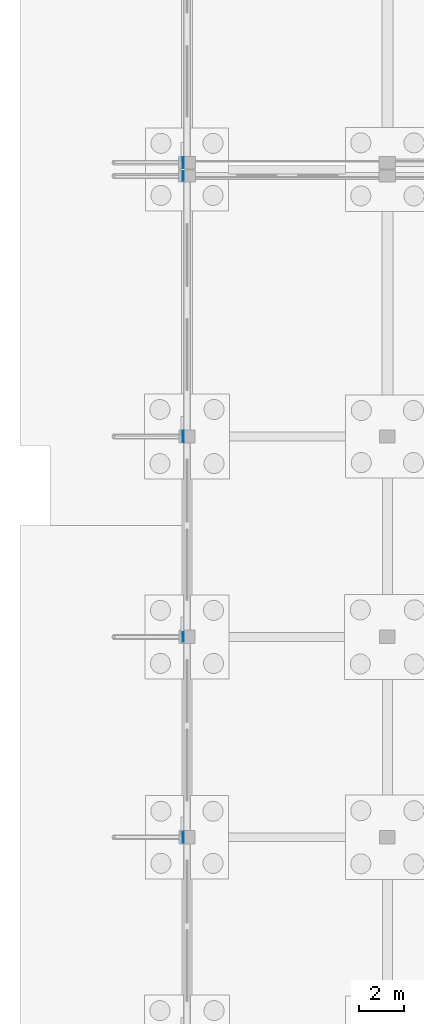
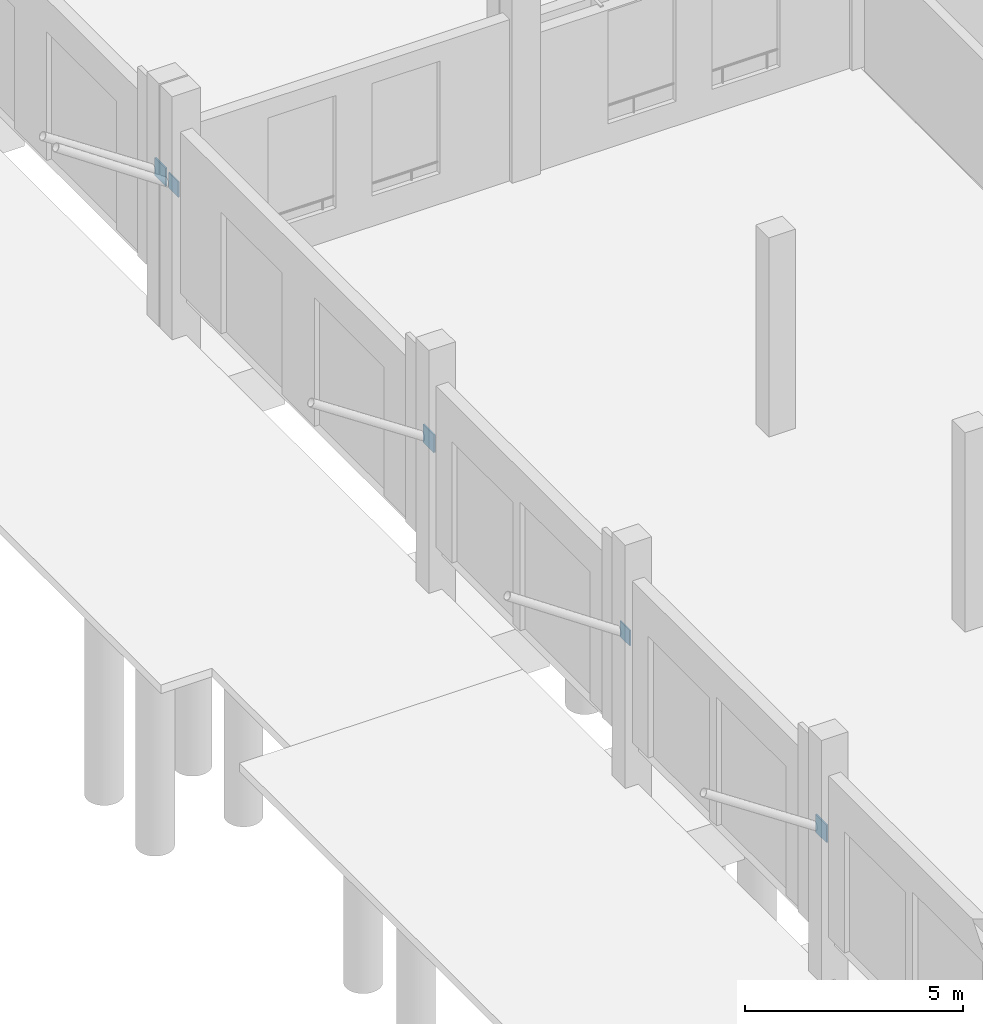
# One storey, part 53 of 99: 5 plates.
"""IFC4 building model written with IfcOpenShell, lengths in metres."""

import ifcopenshell
import ifcopenshell.guid

model = None  # the IFC model being written
_history = None  # IfcOwnerHistory: only IFC2X3 demands one
_inside = {}  # id of a spatial element -> (the spatial element, [elements in it])
_under = {}  # id of a project, library or spatial element -> (it, [spatial elements below it])
_declared = {}  # id of a project -> (the project, [libraries it declares])
_typed = {}  # id of a type object -> (the type object, [elements of that type])
_made_of = {}  # id of a material, layer set ... -> (it, [elements and type objects made of it])


def new_model(schema):
    """Start an empty IFC model of exactly this schema.

    Asked for "IFC4X3", IfcOpenShell would pick the latest addendum, in which some entities
    have other attributes; the version numbers below select the first issue.
    IFC2X3 requires an IfcOwnerHistory on every rooted entity: one is made here for all.
    """
    global model, _history
    if schema == "IFC4X3":
        model = ifcopenshell.file(schema_version=(4, 3, 0, 0))
    else:
        model = ifcopenshell.file(schema=schema)
    _inside.clear()
    _under.clear()
    _declared.clear()
    _typed.clear()
    _made_of.clear()
    _history = None
    if model.schema == "IFC2X3":
        org = make("IfcOrganization", Name="unknown")
        user = make(
            "IfcPersonAndOrganization",
            ThePerson=make("IfcPerson", FamilyName="unknown"),
            TheOrganization=org,
        )
        app = make(
            "IfcApplication",
            ApplicationDeveloper=org,
            Version="unknown",
            ApplicationFullName="unknown",
            ApplicationIdentifier="unknown",
        )
        _history = make(
            "IfcOwnerHistory",
            OwningUser=user,
            OwningApplication=app,
            ChangeAction="ADDED",
            CreationDate=0,
        )
    return model


def make(cls, **values):
    """One entity of the class cls with the attributes given. An attribute that is None is left unset."""
    return model.create_entity(
        cls, **{name: value for name, value in values.items() if value is not None}
    )


def rooted(cls, **values):
    """An entity with a GlobalId (a new one), such as an element, a storey or a relation."""
    return make(cls, GlobalId=ifcopenshell.guid.new(), OwnerHistory=_history, **values)


def si_unit(unit_type, name, prefix=None):
    """IfcSIUnit, for example si_unit("LENGTHUNIT", "METRE", prefix="MILLI")."""
    return make("IfcSIUnit", UnitType=unit_type, Prefix=prefix, Name=name)


def assignment(units):
    """IfcUnitAssignment: the units of a project."""
    return None if units is None else make("IfcUnitAssignment", Units=units)


def point(xyz):
    """IfcCartesianPoint."""
    return None if xyz is None else make("IfcCartesianPoint", Coordinates=xyz)


def direction(xyz):
    """IfcDirection."""
    return None if xyz is None else make("IfcDirection", DirectionRatios=xyz)


def frame(location, z_axis=None, x_axis=None):
    """IfcAxis2Placement3D, a coordinate frame: its origin and axes. An axis left out is left unset."""
    return make(
        "IfcAxis2Placement3D",
        Location=point(location),
        Axis=direction(z_axis),
        RefDirection=direction(x_axis),
    )


def frame_2d(location, x_axis=None):
    """IfcAxis2Placement2D, a coordinate frame in the plane: its origin and x axis."""
    return make(
        "IfcAxis2Placement2D", Location=point(location), RefDirection=direction(x_axis)
    )


def origin():
    """The frame at (0, 0, 0) with its axes left unset."""
    return frame((0.0, 0.0, 0.0))


def origin_2d():
    """The frame at (0, 0) in the plane with its x axis left unset."""
    return frame_2d((0.0, 0.0))


def place(relative_to, where):
    """IfcLocalPlacement: puts the frame where relative to a parent placement (None: the world)."""
    return make(
        "IfcLocalPlacement", PlacementRelTo=relative_to, RelativePlacement=where
    )


def context(
    kind, dimensions, precision=None, world=None, true_north=None, identifier=None
):
    """IfcGeometricRepresentationContext, for example the 3D "Model" context."""
    return make(
        "IfcGeometricRepresentationContext",
        ContextIdentifier=identifier,
        ContextType=kind,
        CoordinateSpaceDimension=dimensions,
        Precision=precision,
        WorldCoordinateSystem=world,
        TrueNorth=true_north,
    )


def subcontext(parent, identifier, kind, view, scale=None):
    """IfcGeometricRepresentationSubContext, for example "Body" below "Model"."""
    return make(
        "IfcGeometricRepresentationSubContext",
        ContextIdentifier=identifier,
        ContextType=kind,
        ParentContext=parent,
        TargetScale=scale,
        TargetView=view,
    )


def project(units=None, contexts=None):
    """IfcProject with its units and contexts."""
    return rooted(
        "IfcProject",
        Name="project",
        RepresentationContexts=contexts,
        UnitsInContext=assignment(units),
    )


def spatial(cls, under=None, at=None, **own):
    """A site, building, storey or space (cls), placed at a placement, below another one or the project."""
    s = rooted(cls, ObjectPlacement=at, **own)
    if under is not None:
        _under.setdefault(under.id(), (under, []))[1].append(s)
    return s


def profile(cls, at=None, kind="AREA", **sizes):
    """A parametric profile (cls). Its sizes go by their IFC names, for example OverallWidth=200.0."""
    return make(cls, ProfileType=kind, Position=at, **sizes)


def rectangle(**sizes):
    """IfcRectangleProfileDef."""
    return profile("IfcRectangleProfileDef", **sizes)


def extrude(swept, where, along, depth):
    """IfcExtrudedAreaSolid: the profile swept, set in the frame where, extruded along a direction by depth."""
    return make(
        "IfcExtrudedAreaSolid",
        SweptArea=swept,
        Position=where,
        ExtrudedDirection=direction(along),
        Depth=depth,
    )


def shape(context_of_items, identifier, shape_type, items):
    """IfcShapeRepresentation: the items that make up one representation, for example the "Body"."""
    return make(
        "IfcShapeRepresentation",
        ContextOfItems=context_of_items,
        RepresentationIdentifier=identifier,
        RepresentationType=shape_type,
        Items=items,
    )


def material(Name=None, Category=None):
    """IfcMaterial."""
    return make("IfcMaterial", Name=Name, Category=Category)


def layer(
    of_material, thickness, ventilated=None, Name=None, Category=None, Priority=None
):
    """IfcMaterialLayer: one layer of a wall or slab, of a material (None: an air gap)."""
    return make(
        "IfcMaterialLayer",
        Material=of_material,
        LayerThickness=thickness,
        IsVentilated=ventilated,
        Name=Name,
        Category=Category,
        Priority=Priority,
    )


def layer_set(layers, Name=None):
    """IfcMaterialLayerSet."""
    return make("IfcMaterialLayerSet", MaterialLayers=layers, LayerSetName=Name)


def made_of(thing, what):
    """Note that an element or type object is made of a material, layer set ...; save() writes the relation."""
    if what is not None:
        _made_of.setdefault(what.id(), (what, []))[1].append(thing)
    return thing


def type_object(cls, material=None, **own):
    """A type object (cls), such as IfcWallType, which elements share."""
    return made_of(rooted(cls, **own), material)


def element(
    cls,
    number,
    at=None,
    inside=None,
    cuts=None,
    type_object=None,
    material=None,
    context=None,
    identifier="Body",
    shape_type=None,
    held_by="IfcProductDefinitionShape",
    body=None,
    shapes=None,
    **own,
):
    """One element of the class cls, such as IfcWall. Its Tag is "e" and its number.

    at: its placement. inside: the storey or other place that contains it. cuts: it is an
    opening in that element (IfcRelVoidsElement). A single representation is given by context,
    identifier, shape_type and body (its items); several are given by shapes. held_by: the class
    of the entity that holds the representations. save() writes the other relations.
    """
    e = rooted(cls, Tag="e%d" % number, ObjectPlacement=at, **own)
    if body is not None:
        shapes = [shape(context, identifier, shape_type, body)]
    if shapes is not None:
        e.Representation = make(held_by, Representations=shapes)
    if inside is not None:
        _inside.setdefault(inside.id(), (inside, []))[1].append(e)
    if cuts is not None:
        rooted(
            "IfcRelVoidsElement", RelatingBuildingElement=cuts, RelatedOpeningElement=e
        )
    if type_object is not None:
        _typed.setdefault(type_object.id(), (type_object, []))[1].append(e)
    return made_of(e, material)


def aggregate(whole, parts):
    """IfcRelAggregates: a whole, such as a stair, and the parts it consists of."""
    return rooted("IfcRelAggregates", RelatingObject=whole, RelatedObjects=parts)


def save(model, path):
    """Write the relations noted so far, then the file.

    IfcRelAggregates (storeys below a building ...), IfcRelContainedInSpatialStructure (elements
    in a storey), IfcRelDefinesByType, IfcRelAssociatesMaterial and IfcRelDeclares: one each for
    every whole, place, type object, material and project.
    """
    for whole, parts in _under.values():
        aggregate(whole, parts)
    for where, things in _inside.values():
        rooted(
            "IfcRelContainedInSpatialStructure",
            RelatedElements=things,
            RelatingStructure=where,
        )
    for kind, things in _typed.values():
        rooted("IfcRelDefinesByType", RelatedObjects=things, RelatingType=kind)
    for what, things in _made_of.values():
        rooted("IfcRelAssociatesMaterial", RelatedObjects=things, RelatingMaterial=what)
    for by, libraries in _declared.values():
        rooted("IfcRelDeclares", RelatingContext=by, RelatedDefinitions=libraries)
    model.write(path)


model = new_model("IFC4")

# Units and contexts
model_context = context("Model", 3, precision=1e-05, world=origin(), true_north=direction((0.0, 1.0)))
body_context = subcontext(model_context, "Body", "Model", "MODEL_VIEW")
ifc_project = project(units=[si_unit("LENGTHUNIT", "METRE"), si_unit("AREAUNIT", "SQUARE_METRE"), si_unit("VOLUMEUNIT", "CUBIC_METRE"), si_unit("PLANEANGLEUNIT", "RADIAN"), si_unit("MASSUNIT", "GRAM", prefix="KILO")], contexts=[model_context])

# Site, building, storey
site_placement = place(None, origin())
site = spatial("IfcSite", under=ifc_project, at=site_placement, CompositionType="ELEMENT")
building_placement = place(site_placement, origin())
building = spatial("IfcBuilding", under=site, at=building_placement, Name="Zacnel Wholesale Market", CompositionType="ELEMENT")
storey_placement = place(building_placement, origin())
storey = spatial("IfcBuildingStorey", under=building, at=storey_placement, Name="L01", CompositionType="ELEMENT", Elevation=0.0)

# Plates
ifc_material_1 = material(Name="Steel S355", Category="steel")
ifc_layer_1 = layer(ifc_material_1, 0.031982421875)
ifc_layer_set_1 = layer_set([ifc_layer_1], Name="Steel S355")
plate_type_1 = type_object("IfcPlateType", Name="PLT-BRG-440X32", PredefinedType="SHEET", material=ifc_layer_set_1)
for number, where, z_axis, x_axis, name in (
    (1, (-0.169921875, 75.0, 3.880126953125), (0.0, 0.0, 1.0), (1.0, 0.0, 0.0), "Dock brace wall bearing plate 08"),
    (2, (-0.169921875, 95.699951171875, 3.880126953125), (0.0, 0.0, 1.0), (1.0, 0.0, 0.0), "Dock brace wall bearing plate 10"),
):
    element("IfcPlate", number, at=place(storey_placement, frame(where, z_axis=z_axis, x_axis=x_axis)), inside=storey, type_object=plate_type_1, Name=name, PredefinedType="SHEET", context=body_context, shape_type="SweptSolid", body=[
        extrude(rectangle(XDim=0.031982421875, YDim=0.43994140625, at=origin_2d()), origin(), (0.0, 0.0, 1.0), 0.43994140625),
    ])
ifc_material_2 = material(Name="Steel S355", Category="steel")
ifc_layer_2 = layer(ifc_material_2, 0.0400390625)
ifc_layer_set_2 = layer_set([ifc_layer_2], Name="Steel S355")
plate_type_2 = type_object("IfcPlateType", Name="PLT-BRG-500X40", PredefinedType="SHEET", material=ifc_layer_set_2)
for number, where, z_axis, x_axis, name in (
    (3, (-0.169921875, 66.0, 3.85009765625), (0.0, 0.0, 1.0), (1.0, 0.0, 0.0), "Dock brace wall bearing plate 07"),
    (4, (-0.169921875, 84.0, 3.85009765625), (0.0, 0.0, 1.0), (1.0, 0.0, 0.0), "Dock brace wall bearing plate 09"),
    (5, (-0.169921875, 96.300048828125, 3.85009765625), (0.0, 0.0, 1.0), (1.0, 0.0, 0.0), "Dock brace wall bearing plate 11"),
):
    element("IfcPlate", number, at=place(storey_placement, frame(where, z_axis=z_axis, x_axis=x_axis)), inside=storey, type_object=plate_type_2, Name=name, PredefinedType="SHEET", context=body_context, shape_type="SweptSolid", body=[
        extrude(rectangle(XDim=0.0400390625, YDim=0.5, at=origin_2d()), origin(), (0.0, 0.0, 1.0), 0.5),
    ])

save(model, "model.ifc")
